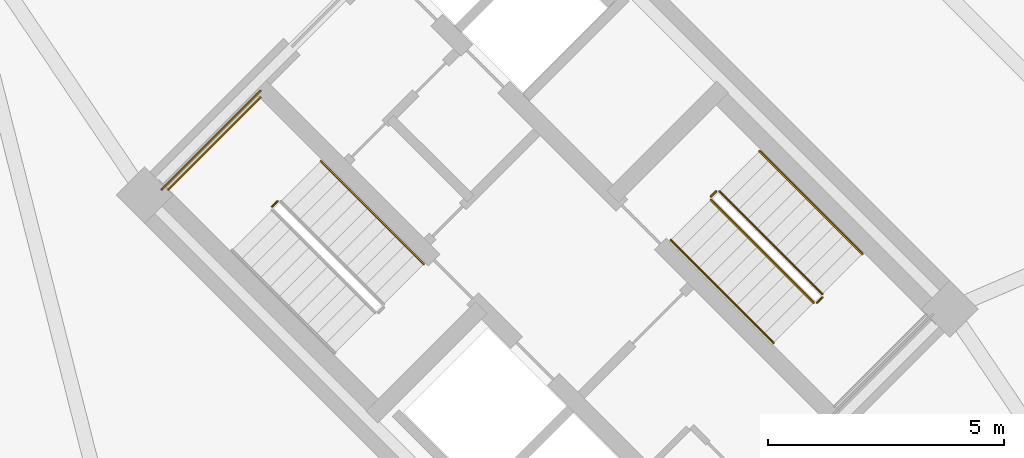
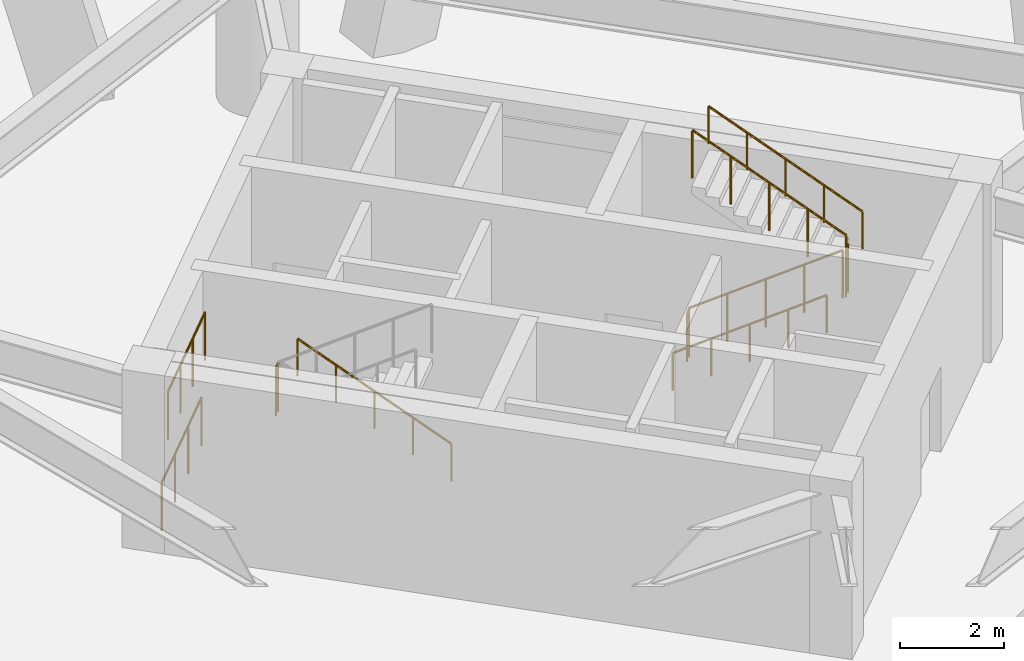
# One storey, part 18 of 20: 10 railings.
"""IFC4 building model written with IfcOpenShell, lengths in metres."""

import ifcopenshell
import ifcopenshell.guid

model = None  # the IFC model being written
_history = None  # IfcOwnerHistory: only IFC2X3 demands one
_inside = {}  # id of a spatial element -> (the spatial element, [elements in it])
_under = {}  # id of a project, library or spatial element -> (it, [spatial elements below it])
_declared = {}  # id of a project -> (the project, [libraries it declares])
_typed = {}  # id of a type object -> (the type object, [elements of that type])
_made_of = {}  # id of a material, layer set ... -> (it, [elements and type objects made of it])


def new_model(schema):
    """Start an empty IFC model of exactly this schema.

    Asked for "IFC4X3", IfcOpenShell would pick the latest addendum, in which some entities
    have other attributes; the version numbers below select the first issue.
    IFC2X3 requires an IfcOwnerHistory on every rooted entity: one is made here for all.
    """
    global model, _history
    if schema == "IFC4X3":
        model = ifcopenshell.file(schema_version=(4, 3, 0, 0))
    else:
        model = ifcopenshell.file(schema=schema)
    _inside.clear()
    _under.clear()
    _declared.clear()
    _typed.clear()
    _made_of.clear()
    _history = None
    if model.schema == "IFC2X3":
        org = make("IfcOrganization", Name="unknown")
        user = make(
            "IfcPersonAndOrganization",
            ThePerson=make("IfcPerson", FamilyName="unknown"),
            TheOrganization=org,
        )
        app = make(
            "IfcApplication",
            ApplicationDeveloper=org,
            Version="unknown",
            ApplicationFullName="unknown",
            ApplicationIdentifier="unknown",
        )
        _history = make(
            "IfcOwnerHistory",
            OwningUser=user,
            OwningApplication=app,
            ChangeAction="ADDED",
            CreationDate=0,
        )
    return model


def make(cls, **values):
    """One entity of the class cls with the attributes given. An attribute that is None is left unset."""
    return model.create_entity(
        cls, **{name: value for name, value in values.items() if value is not None}
    )


def rooted(cls, **values):
    """An entity with a GlobalId (a new one), such as an element, a storey or a relation."""
    return make(cls, GlobalId=ifcopenshell.guid.new(), OwnerHistory=_history, **values)


def si_unit(unit_type, name, prefix=None):
    """IfcSIUnit, for example si_unit("LENGTHUNIT", "METRE", prefix="MILLI")."""
    return make("IfcSIUnit", UnitType=unit_type, Prefix=prefix, Name=name)


def assignment(units):
    """IfcUnitAssignment: the units of a project."""
    return None if units is None else make("IfcUnitAssignment", Units=units)


def point(xyz):
    """IfcCartesianPoint."""
    return None if xyz is None else make("IfcCartesianPoint", Coordinates=xyz)


def direction(xyz):
    """IfcDirection."""
    return None if xyz is None else make("IfcDirection", DirectionRatios=xyz)


def frame(location, z_axis=None, x_axis=None):
    """IfcAxis2Placement3D, a coordinate frame: its origin and axes. An axis left out is left unset."""
    return make(
        "IfcAxis2Placement3D",
        Location=point(location),
        Axis=direction(z_axis),
        RefDirection=direction(x_axis),
    )


def frame_2d(location, x_axis=None):
    """IfcAxis2Placement2D, a coordinate frame in the plane: its origin and x axis."""
    return make(
        "IfcAxis2Placement2D", Location=point(location), RefDirection=direction(x_axis)
    )


def origin():
    """The frame at (0, 0, 0) with its axes left unset."""
    return frame((0.0, 0.0, 0.0))


def origin_2d():
    """The frame at (0, 0) in the plane with its x axis left unset."""
    return frame_2d((0.0, 0.0))


def place(relative_to, where):
    """IfcLocalPlacement: puts the frame where relative to a parent placement (None: the world)."""
    return make(
        "IfcLocalPlacement", PlacementRelTo=relative_to, RelativePlacement=where
    )


def context(
    kind, dimensions, precision=None, world=None, true_north=None, identifier=None
):
    """IfcGeometricRepresentationContext, for example the 3D "Model" context."""
    return make(
        "IfcGeometricRepresentationContext",
        ContextIdentifier=identifier,
        ContextType=kind,
        CoordinateSpaceDimension=dimensions,
        Precision=precision,
        WorldCoordinateSystem=world,
        TrueNorth=true_north,
    )


def subcontext(parent, identifier, kind, view, scale=None):
    """IfcGeometricRepresentationSubContext, for example "Body" below "Model"."""
    return make(
        "IfcGeometricRepresentationSubContext",
        ContextIdentifier=identifier,
        ContextType=kind,
        ParentContext=parent,
        TargetScale=scale,
        TargetView=view,
    )


def project(units=None, contexts=None):
    """IfcProject with its units and contexts."""
    return rooted(
        "IfcProject",
        Name="project",
        RepresentationContexts=contexts,
        UnitsInContext=assignment(units),
    )


def spatial(cls, under=None, at=None, **own):
    """A site, building, storey or space (cls), placed at a placement, below another one or the project."""
    s = rooted(cls, ObjectPlacement=at, **own)
    if under is not None:
        _under.setdefault(under.id(), (under, []))[1].append(s)
    return s


def profile(cls, at=None, kind="AREA", **sizes):
    """A parametric profile (cls). Its sizes go by their IFC names, for example OverallWidth=200.0."""
    return make(cls, ProfileType=kind, Position=at, **sizes)


def circle(**sizes):
    """IfcCircleProfileDef."""
    return profile("IfcCircleProfileDef", **sizes)


def extrude(swept, where, along, depth):
    """IfcExtrudedAreaSolid: the profile swept, set in the frame where, extruded along a direction by depth."""
    return make(
        "IfcExtrudedAreaSolid",
        SweptArea=swept,
        Position=where,
        ExtrudedDirection=direction(along),
        Depth=depth,
    )


def shape(context_of_items, identifier, shape_type, items):
    """IfcShapeRepresentation: the items that make up one representation, for example the "Body"."""
    return make(
        "IfcShapeRepresentation",
        ContextOfItems=context_of_items,
        RepresentationIdentifier=identifier,
        RepresentationType=shape_type,
        Items=items,
    )


def material(Name=None, Category=None):
    """IfcMaterial."""
    return make("IfcMaterial", Name=Name, Category=Category)


def made_of(thing, what):
    """Note that an element or type object is made of a material, layer set ...; save() writes the relation."""
    if what is not None:
        _made_of.setdefault(what.id(), (what, []))[1].append(thing)
    return thing


def type_object(cls, material=None, **own):
    """A type object (cls), such as IfcWallType, which elements share."""
    return made_of(rooted(cls, **own), material)


def element(
    cls,
    number,
    at=None,
    inside=None,
    cuts=None,
    type_object=None,
    material=None,
    context=None,
    identifier="Body",
    shape_type=None,
    held_by="IfcProductDefinitionShape",
    body=None,
    shapes=None,
    **own,
):
    """One element of the class cls, such as IfcWall. Its Tag is "e" and its number.

    at: its placement. inside: the storey or other place that contains it. cuts: it is an
    opening in that element (IfcRelVoidsElement). A single representation is given by context,
    identifier, shape_type and body (its items); several are given by shapes. held_by: the class
    of the entity that holds the representations. save() writes the other relations.
    """
    e = rooted(cls, Tag="e%d" % number, ObjectPlacement=at, **own)
    if body is not None:
        shapes = [shape(context, identifier, shape_type, body)]
    if shapes is not None:
        e.Representation = make(held_by, Representations=shapes)
    if inside is not None:
        _inside.setdefault(inside.id(), (inside, []))[1].append(e)
    if cuts is not None:
        rooted(
            "IfcRelVoidsElement", RelatingBuildingElement=cuts, RelatedOpeningElement=e
        )
    if type_object is not None:
        _typed.setdefault(type_object.id(), (type_object, []))[1].append(e)
    return made_of(e, material)


def aggregate(whole, parts):
    """IfcRelAggregates: a whole, such as a stair, and the parts it consists of."""
    return rooted("IfcRelAggregates", RelatingObject=whole, RelatedObjects=parts)


def save(model, path):
    """Write the relations noted so far, then the file.

    IfcRelAggregates (storeys below a building ...), IfcRelContainedInSpatialStructure (elements
    in a storey), IfcRelDefinesByType, IfcRelAssociatesMaterial and IfcRelDeclares: one each for
    every whole, place, type object, material and project.
    """
    for whole, parts in _under.values():
        aggregate(whole, parts)
    for where, things in _inside.values():
        rooted(
            "IfcRelContainedInSpatialStructure",
            RelatedElements=things,
            RelatingStructure=where,
        )
    for kind, things in _typed.values():
        rooted("IfcRelDefinesByType", RelatedObjects=things, RelatingType=kind)
    for what, things in _made_of.values():
        rooted("IfcRelAssociatesMaterial", RelatedObjects=things, RelatingMaterial=what)
    for by, libraries in _declared.values():
        rooted("IfcRelDeclares", RelatingContext=by, RelatedDefinitions=libraries)
    model.write(path)


model = new_model("IFC4")

# Units and contexts
model_context = context("Model", 3, precision=1e-05, world=origin(), true_north=direction((0.0, 1.0)))
body_context = subcontext(model_context, "Body", "Model", "MODEL_VIEW")
ifc_project = project(units=[si_unit("LENGTHUNIT", "METRE"), si_unit("AREAUNIT", "SQUARE_METRE"), si_unit("VOLUMEUNIT", "CUBIC_METRE"), si_unit("PLANEANGLEUNIT", "RADIAN"), si_unit("MASSUNIT", "GRAM", prefix="KILO")], contexts=[model_context])

# Site, building, storey
site_placement = place(None, origin())
site = spatial("IfcSite", under=ifc_project, at=site_placement, CompositionType="ELEMENT")
building_placement = place(site_placement, origin())
building = spatial("IfcBuilding", under=site, at=building_placement, Name="Cununo Teusaquillo Station Towers", CompositionType="ELEMENT")
storey_placement = place(building_placement, frame((0.0, 0.0, 13.199951171875)))
storey = spatial("IfcBuildingStorey", under=building, at=storey_placement, Name="L03", CompositionType="ELEMENT", Elevation=13.199951171875)

# Railings
ifc_material_1 = material(Name="Steel EN 10025-2 S355J2", Category="steel")
railing_type_1 = type_object("IfcRailingType", Name="RL-INT-GUARD", PredefinedType="GUARDRAIL", material=ifc_material_1)
railing_1_placement = place(storey_placement, frame((51.78662109375, 25.57470703125, 2.10009765625)))
element("IfcRailing", 1, at=railing_1_placement, inside=storey, type_object=railing_type_1, Name="L03 ST-T2-1 stair guard 2", PredefinedType="GUARDRAIL", context=body_context, shape_type="SweptSolid", body=[
    extrude(circle(Radius=0.02392578125, at=origin_2d()), frame((0.0, 0.0, 1.1259765625), z_axis=(-0.707106781187, -0.707106781187, 0.0), x_axis=(0.707106781187, -0.707106781187, 0.0)), (0.0, 0.0, 1.0), 0.159912109375),
    extrude(circle(Radius=0.02099609375, at=origin_2d()), origin(), (0.0, 0.0, 1.0), 1.101806640625),
    extrude(circle(Radius=0.02099609375, at=origin_2d()), frame((-0.113037109375, -0.113037109375, 0.0)), (0.0, 0.0, 1.0), 1.101806640625),
])
railing_2_placement = place(storey_placement, frame((51.426025390625, 27.77392578125, 2.10009765625)))
element("IfcRailing", 2, at=railing_2_placement, inside=storey, type_object=railing_type_1, Name="L03 ST-T2-1 stair guard 3", PredefinedType="GUARDRAIL", context=body_context, shape_type="SweptSolid", body=[
    extrude(circle(Radius=0.02392578125, at=origin_2d()), frame((0.0, 0.0, 1.1259765625), z_axis=(-0.707106781187, -0.707106781187, 0.0), x_axis=(0.707106781187, -0.707106781187, 0.0)), (0.0, 0.0, 1.0), 2.760009765625),
    extrude(circle(Radius=0.02099609375, at=origin_2d()), origin(), (0.0, 0.0, 1.0), 1.101806640625),
    extrude(circle(Radius=0.02099609375, at=origin_2d()), frame((-0.650634765625, -0.650634765625, 0.0)), (0.0, 0.0, 1.0), 1.101806640625),
    extrude(circle(Radius=0.02099609375, at=origin_2d()), frame((-1.301025390625, -1.301025390625, 0.0)), (0.0, 0.0, 1.0), 1.101806640625),
    extrude(circle(Radius=0.02099609375, at=origin_2d()), frame((-1.95166015625, -1.95166015625, 0.0)), (0.0, 0.0, 1.0), 1.101806640625),
])
railing_3_placement = place(storey_placement, frame((51.426025390625, 27.915283203125, 0.0)))
element("IfcRailing", 3, at=railing_3_placement, inside=storey, type_object=railing_type_1, Name="L03 ST-T2-1 stair guard 6", PredefinedType="GUARDRAIL", context=body_context, shape_type="SweptSolid", body=[
    extrude(circle(Radius=0.02392578125, at=origin_2d()), frame((0.0, 0.0, 1.1259765625), z_axis=(-0.707106781187, -0.707106781187, 0.0), x_axis=(0.707106781187, -0.707106781187, 0.0)), (0.0, 0.0, 1.0), 2.9599609375),
    extrude(circle(Radius=0.02099609375, at=origin_2d()), origin(), (0.0, 0.0, 1.0), 1.101806640625),
    extrude(circle(Radius=0.02099609375, at=origin_2d()), frame((-0.69775390625, -0.69775390625, 0.0)), (0.0, 0.0, 1.0), 1.101806640625),
    extrude(circle(Radius=0.02099609375, at=origin_2d()), frame((-1.395263671875, -1.395263671875, 0.0)), (0.0, 0.0, 1.0), 1.101806640625),
    extrude(circle(Radius=0.02099609375, at=origin_2d()), frame((-2.093017578125, -2.093017578125, 0.0)), (0.0, 0.0, 1.0), 1.101806640625),
])
railing_4_placement = place(storey_placement, frame((60.96484375, 25.60302734375, 0.175048828125)))
element("IfcRailing", 4, at=railing_4_placement, inside=storey, type_object=railing_type_1, Name="L03 ST-T2-2 stair guard 1", PredefinedType="GUARDRAIL", context=body_context, shape_type="SweptSolid", body=[
    extrude(circle(Radius=0.02392578125, at=origin_2d()), frame((0.0, 0.0, 1.1259765625), z_axis=(0.599609127936, -0.599609127936, 0.530035647284), x_axis=(0.707106781187, 0.707106781187, 0.0)), (0.0, 0.0, 1.0), 3.6318359375),
    extrude(circle(Radius=0.02099609375, at=origin_2d()), origin(), (0.0, 0.0, 1.0), 1.101806640625),
    extrude(circle(Radius=0.02099609375, at=origin_2d()), frame((0.54443359375, -0.54443359375, 0.481201171875)), (0.0, 0.0, 1.0), 1.101806640625),
    extrude(circle(Radius=0.02099609375, at=origin_2d()), frame((1.0888671875, -1.0888671875, 0.96240234375)), (0.0, 0.0, 1.0), 1.101806640625),
    extrude(circle(Radius=0.02099609375, at=origin_2d()), frame((1.63330078125, -1.63330078125, 1.44384765625)), (0.0, 0.0, 1.0), 1.101806640625),
    extrude(circle(Radius=0.02099609375, at=origin_2d()), frame((2.177734375, -2.177734375, 1.925048828125)), (0.0, 0.0, 1.0), 1.101806640625),
])
railing_5_placement = place(storey_placement, frame((63.21337890625, 23.42529296875, 2.10009765625)))
element("IfcRailing", 5, at=railing_5_placement, inside=storey, type_object=railing_type_1, Name="L03 ST-T2-2 stair guard 2", PredefinedType="GUARDRAIL", context=body_context, shape_type="SweptSolid", body=[
    extrude(circle(Radius=0.02392578125, at=origin_2d()), frame((0.0, 0.0, 1.1259765625), z_axis=(0.707106781187, 0.707106781187, 0.0), x_axis=(-0.707106781187, 0.707106781187, 0.0)), (0.0, 0.0, 1.0), 0.159912109375),
    extrude(circle(Radius=0.02099609375, at=origin_2d()), origin(), (0.0, 0.0, 1.0), 1.101806640625),
    extrude(circle(Radius=0.02099609375, at=origin_2d()), frame((0.113037109375, 0.113037109375, 0.0)), (0.0, 0.0, 1.0), 1.101806640625),
])
railing_6_placement = place(storey_placement, frame((63.326416015625, 23.609130859375, 2.275146484375)))
element("IfcRailing", 6, at=railing_6_placement, inside=storey, type_object=railing_type_1, Name="L03 ST-T2-2 stair guard 4", PredefinedType="GUARDRAIL", context=body_context, shape_type="SweptSolid", body=[
    extrude(circle(Radius=0.02392578125, at=origin_2d()), frame((0.0, 0.0, 1.1259765625), z_axis=(-0.599630491434, 0.599630491434, 0.529987308797), x_axis=(-0.707106781187, -0.707106781187, 0.0)), (0.0, 0.0, 1.0), 3.6318359375),
    extrude(circle(Radius=0.02099609375, at=origin_2d()), origin(), (0.0, 0.0, 1.0), 1.101806640625),
    extrude(circle(Radius=0.02099609375, at=origin_2d()), frame((-0.54443359375, 0.54443359375, 0.481201171875)), (0.0, 0.0, 1.0), 1.101806640625),
    extrude(circle(Radius=0.02099609375, at=origin_2d()), frame((-1.0888671875, 1.0888671875, 0.96240234375)), (0.0, 0.0, 1.0), 1.101806640625),
    extrude(circle(Radius=0.02099609375, at=origin_2d()), frame((-1.63330078125, 1.63330078125, 1.443603515625)), (0.0, 0.0, 1.0), 1.101806640625),
    extrude(circle(Radius=0.02099609375, at=origin_2d()), frame((-2.177734375, 2.177734375, 1.9248046875)), (0.0, 0.0, 1.0), 1.101806640625),
])
railing_7_placement = place(storey_placement, frame((60.96484375, 25.673828125, 0.0)))
element("IfcRailing", 7, at=railing_7_placement, inside=storey, type_object=railing_type_1, Name="L03 ST-T2-2 stair guard 5", PredefinedType="GUARDRAIL", context=body_context, shape_type="SweptSolid", body=[
    extrude(circle(Radius=0.02392578125, at=origin_2d()), frame((0.0, 0.0, 1.1259765625), z_axis=(0.707106781187, 0.707106781187, 0.0), x_axis=(-0.707106781187, 0.707106781187, 0.0)), (0.0, 0.0, 1.0), 0.159912109375),
    extrude(circle(Radius=0.02099609375, at=origin_2d()), origin(), (0.0, 0.0, 1.0), 1.101806640625),
    extrude(circle(Radius=0.02099609375, at=origin_2d()), frame((0.113037109375, 0.113037109375, 0.0)), (0.0, 0.0, 1.0), 1.101806640625),
])
ifc_material_2 = material(Name="Steel EN 10025-2 S355J2", Category="steel")
railing_type_2 = type_object("IfcRailingType", Name="RL-INT-HRAIL", PredefinedType="HANDRAIL", material=ifc_material_2)
railing_8_placement = place(storey_placement, frame((54.8837890625, 24.245361328125, 0.175048828125)))
element("IfcRailing", 8, at=railing_8_placement, inside=storey, type_object=railing_type_2, Name="L03 ST-T2-1 stair handrail 1", PredefinedType="HANDRAIL", context=body_context, shape_type="SweptSolid", body=[
    extrude(circle(Radius=0.02392578125, at=origin_2d()), frame((0.0, 0.0, 0.8759765625), z_axis=(-0.599628010503, 0.599628010503, 0.529992922633), x_axis=(-0.707106781187, -0.707106781187, 0.0)), (0.0, 0.0, 1.0), 3.63232421875),
    extrude(circle(Radius=0.02099609375, at=origin_2d()), origin(), (0.0, 0.0, 1.0), 0.851806640625),
    extrude(circle(Radius=0.02099609375, at=origin_2d()), frame((-0.54443359375, 0.54443359375, 0.481201171875)), (0.0, 0.0, 1.0), 0.851806640625),
    extrude(circle(Radius=0.02099609375, at=origin_2d()), frame((-1.0888671875, 1.0888671875, 0.96240234375)), (0.0, 0.0, 1.0), 0.851806640625),
    extrude(circle(Radius=0.02099609375, at=origin_2d()), frame((-1.633544921875, 1.633544921875, 1.44384765625)), (0.0, 0.0, 1.0), 0.851806640625),
    extrude(circle(Radius=0.02099609375, at=origin_2d()), frame((-2.177978515625, 2.177978515625, 1.925048828125)), (0.0, 0.0, 1.0), 0.851806640625),
])
railing_9_placement = place(storey_placement, frame((60.1162109375, 24.754638671875, 0.175048828125)))
element("IfcRailing", 9, at=railing_9_placement, inside=storey, type_object=railing_type_2, Name="L03 ST-T2-2 stair handrail 1", PredefinedType="HANDRAIL", context=body_context, shape_type="SweptSolid", body=[
    extrude(circle(Radius=0.02392578125, at=origin_2d()), frame((0.0, 0.0, 0.8759765625), z_axis=(0.599628010503, -0.599628010503, 0.529992922633), x_axis=(0.707106781187, 0.707106781187, 0.0)), (0.0, 0.0, 1.0), 3.63232421875),
    extrude(circle(Radius=0.02099609375, at=origin_2d()), origin(), (0.0, 0.0, 1.0), 0.851806640625),
    extrude(circle(Radius=0.02099609375, at=origin_2d()), frame((0.54443359375, -0.54443359375, 0.481201171875)), (0.0, 0.0, 1.0), 0.851806640625),
    extrude(circle(Radius=0.02099609375, at=origin_2d()), frame((1.0888671875, -1.0888671875, 0.96240234375)), (0.0, 0.0, 1.0), 0.851806640625),
    extrude(circle(Radius=0.02099609375, at=origin_2d()), frame((1.633544921875, -1.633544921875, 1.44384765625)), (0.0, 0.0, 1.0), 0.851806640625),
    extrude(circle(Radius=0.02099609375, at=origin_2d()), frame((2.177978515625, -2.177978515625, 1.925048828125)), (0.0, 0.0, 1.0), 0.851806640625),
])
railing_10_placement = place(storey_placement, frame((64.175048828125, 24.45751953125, 2.275146484375)))
element("IfcRailing", 10, at=railing_10_placement, inside=storey, type_object=railing_type_2, Name="L03 ST-T2-2 stair handrail 2", PredefinedType="HANDRAIL", context=body_context, shape_type="SweptSolid", body=[
    extrude(circle(Radius=0.02392578125, at=origin_2d()), frame((0.0, 0.0, 0.8759765625), z_axis=(-0.599649371229, 0.599649371229, 0.529944584998), x_axis=(-0.707106781187, -0.707106781187, 0.0)), (0.0, 0.0, 1.0), 3.632080078125),
    extrude(circle(Radius=0.02099609375, at=origin_2d()), origin(), (0.0, 0.0, 1.0), 0.851806640625),
    extrude(circle(Radius=0.02099609375, at=origin_2d()), frame((-0.54443359375, 0.54443359375, 0.481201171875)), (0.0, 0.0, 1.0), 0.851806640625),
    extrude(circle(Radius=0.02099609375, at=origin_2d()), frame((-1.0888671875, 1.0888671875, 0.96240234375)), (0.0, 0.0, 1.0), 0.851806640625),
    extrude(circle(Radius=0.02099609375, at=origin_2d()), frame((-1.633544921875, 1.633544921875, 1.443603515625)), (0.0, 0.0, 1.0), 0.851806640625),
    extrude(circle(Radius=0.02099609375, at=origin_2d()), frame((-2.177978515625, 2.177978515625, 1.9248046875)), (0.0, 0.0, 1.0), 0.851806640625),
])

save(model, "model.ifc")
